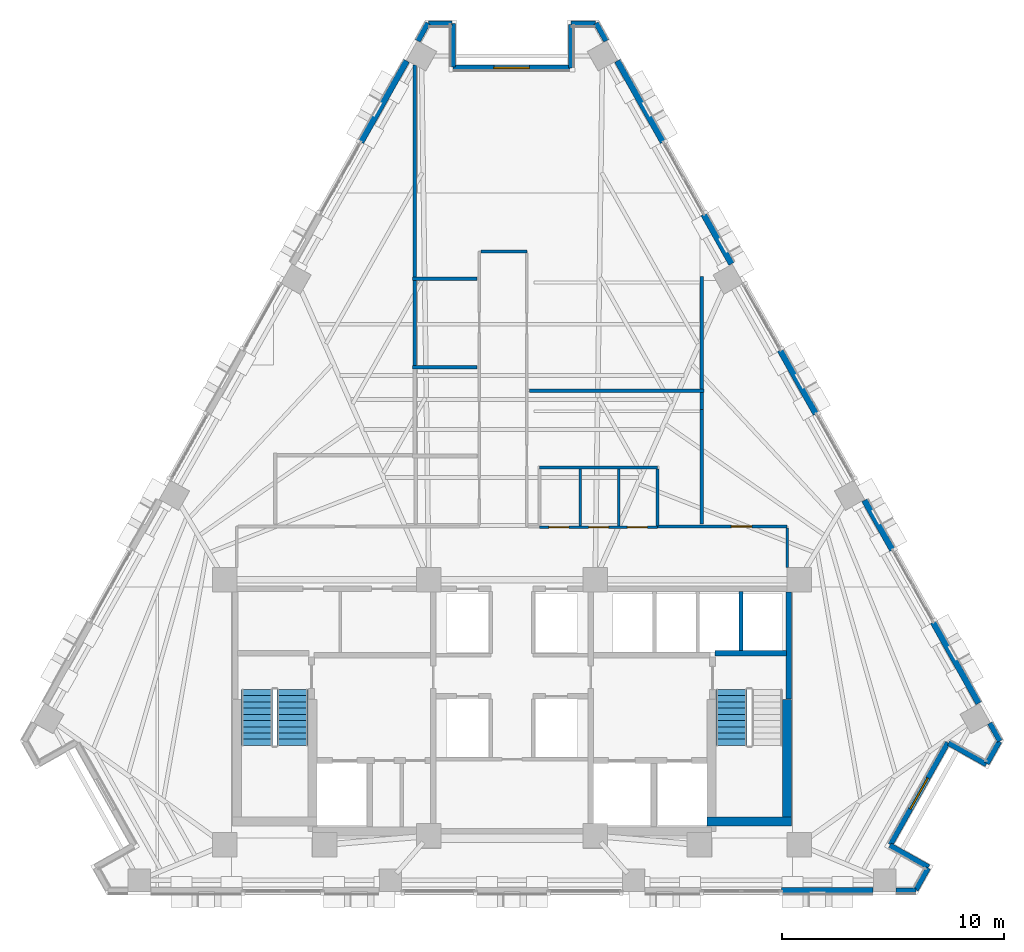
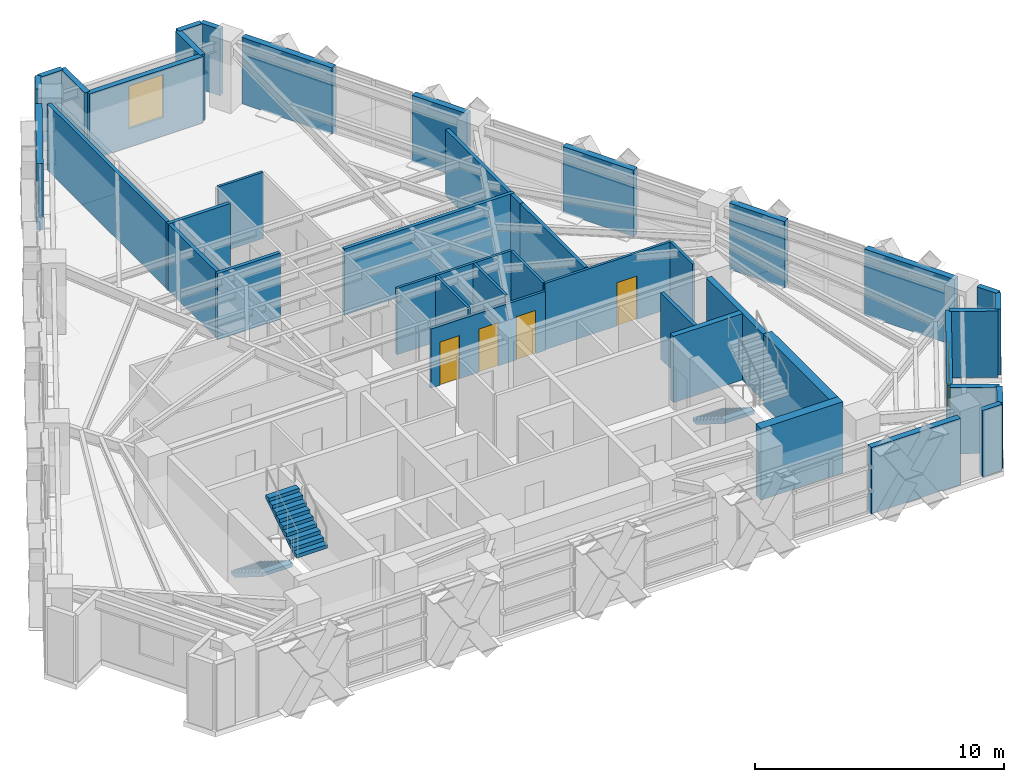
# One storey, part 9 of 14: 42 walls, 4 doors, 3 stair flights, 2 windows, 6 openings, 2 elements without a shape of their own.
"""IFC4 building model written with IfcOpenShell, lengths in metres."""

from ifc_helpers import new_model, si_unit, direction, frame, frame_2d, origin, place, context, subcontext, project, spatial, polyline, rectangle, outline, extrude, material, layer, layer_set, type_object, element, fill, aggregate, save


model = new_model("IFC4")

# Units and contexts
model_context = context("Model", 3, precision=1e-05, world=origin(), true_north=direction((0.0, 1.0)))
body_context = subcontext(model_context, "Body", "Model", "MODEL_VIEW")
ifc_project = project(units=[si_unit("LENGTHUNIT", "METRE"), si_unit("AREAUNIT", "SQUARE_METRE"), si_unit("VOLUMEUNIT", "CUBIC_METRE"), si_unit("PLANEANGLEUNIT", "RADIAN"), si_unit("MASSUNIT", "GRAM", prefix="KILO")], contexts=[model_context])

# Site, building, storey
site_placement = place(None, origin())
site = spatial("IfcSite", under=ifc_project, at=site_placement, CompositionType="ELEMENT")
building_placement = place(site_placement, origin())
building = spatial("IfcBuilding", under=site, at=building_placement, Name="Quenlor Broadcast Tower", CompositionType="ELEMENT")
storey_placement = place(building_placement, frame((0.0, 0.0, 144.0)))
storey = spatial("IfcBuildingStorey", under=building, at=storey_placement, Name="L39", CompositionType="ELEMENT", Elevation=144.0)

# Walls
ifc_material_1 = material(Name="Concrete C50/60", Category="concrete")
ifc_layer_1 = layer(ifc_material_1, 0.39990234375)
ifc_layer_set_1 = layer_set([ifc_layer_1], Name="Core Concrete C50/60 Shear Wall 400")
wall_type_1 = type_object("IfcWallType", Name="Core Concrete C50/60 Shear Wall 400", PredefinedType="SHEAR", material=ifc_layer_set_1)
wall_1_placement = place(storey_placement, frame((8.800048828125, -15.699951171875, 0.0), z_axis=(0.0, 0.0, 1.0), x_axis=(1.0, 0.0, 0.0)))
element("IfcWall", 1, at=wall_1_placement, inside=storey, type_object=wall_type_1, Name="L39 Core Shear Wall WS-E2", PredefinedType="SHEAR", context=body_context, shape_type="SweptSolid", body=[
    extrude(rectangle(XDim=3.800048828125, YDim=0.39990234375, at=frame_2d((1.89990234375, 0.0))), origin(), (0.0, 0.0, 1.0), 3.5),
])
wall_2_placement = place(storey_placement, frame((12.39990234375, -15.699951171875, 0.0), z_axis=(0.0, 0.0, 1.0), x_axis=(0.0, 1.0, 0.0)))
element("IfcWall", 2, at=wall_2_placement, inside=storey, type_object=wall_type_1, Name="L39 Core Shear Wall WF-E", PredefinedType="SHEAR", context=body_context, shape_type="SweptSolid", body=[
    extrude(rectangle(XDim=5.5, YDim=0.39990234375, at=frame_2d((2.75, 0.0))), origin(), (0.0, 0.0, 1.0), 3.5),
])
ifc_material_2 = material(Name="Concrete C40/50", Category="concrete")
ifc_layer_2 = layer(ifc_material_2, 0.25)
ifc_layer_set_2 = layer_set([ifc_layer_2], Name="Fire Rated Concrete C40/50 Core Wall 250")
wall_type_2 = type_object("IfcWallType", Name="Fire Rated Concrete C40/50 Core Wall 250", PredefinedType="PARTITIONING", material=ifc_layer_set_2)
wall_3_placement = place(storey_placement, frame((9.159912109375, -8.1201171875, 0.0), z_axis=(0.0, 0.0, 1.0), x_axis=(1.0, 0.0, 0.0)))
element("IfcWall", 3, at=wall_3_placement, inside=storey, type_object=wall_type_2, Name="L39 Interior Wall CW-ST2-N", PredefinedType="PARTITIONING", context=body_context, shape_type="SweptSolid", body=[
    extrude(rectangle(XDim=3.219970703125, YDim=0.25, at=frame_2d((1.60986328125, 0.0))), origin(), (0.0, 0.0, 1.0), 3.25),
])
wall_4_placement = place(storey_placement, frame((12.47998046875, -10.179931640625, 0.0), z_axis=(0.0, 0.0, 1.0), x_axis=(0.0, 1.0, 0.0)))
element("IfcWall", 4, at=wall_4_placement, inside=storey, type_object=wall_type_2, Name="L39 Interior Wall CW-ST2-E2", PredefinedType="PARTITIONING", context=body_context, shape_type="SweptSolid", body=[
    extrude(rectangle(XDim=4.827880859375, YDim=0.25, at=frame_2d((2.4140625, 0.0))), origin(), (0.0, 0.0, 1.0), 3.25),
])
ifc_material_3 = material(Name="Gypsum Fireboard Partition", Category="other")
ifc_layer_3 = layer(ifc_material_3, 0.159912109375)
ifc_layer_set_3 = layer_set([ifc_layer_3], Name="Fire Rated Shaft and Corridor Partition 160")
wall_type_3 = type_object("IfcWallType", Name="Fire Rated Shaft and Corridor Partition 160", PredefinedType="PARTITIONING", material=ifc_layer_set_3)
wall_5_placement = place(storey_placement, frame((10.324951171875, -7.992919921875, 0.0), z_axis=(0.0, 0.0, 1.0), x_axis=(0.0, 1.0, 0.0)))
element("IfcWall", 5, at=wall_5_placement, inside=storey, type_object=wall_type_3, Name="L39 Interior Wall CW-PLH-D3", PredefinedType="PARTITIONING", context=body_context, shape_type="SweptSolid", body=[
    extrude(rectangle(XDim=2.65283203125, YDim=0.159912109375, at=frame_2d((1.326416015625, 0.0))), origin(), (0.0, 0.0, 1.0), 3.25),
])
wall_6_placement = place(storey_placement, frame((-1.580078125, 8.780029296875, 0.0), z_axis=(0.0, 0.0, 1.0), x_axis=(-1.0, 0.0, 0.0)))
element("IfcWall", 6, at=wall_6_placement, inside=storey, type_object=wall_type_3, Name="L39 Interior Wall PW-DV-01", PredefinedType="PARTITIONING", context=body_context, shape_type="SweptSolid", body=[
    extrude(rectangle(XDim=2.89990234375, YDim=0.159912109375, at=frame_2d((1.449951171875, 0.0))), origin(), (0.0, 0.0, 1.0), 3.25),
])
wall_7_placement = place(storey_placement, frame((8.659912109375, 3.72998046875, 0.0), z_axis=(0.0, 0.0, 1.0), x_axis=(-1.0, 0.0, 0.0)))
element("IfcWall", 7, at=wall_7_placement, inside=storey, type_object=wall_type_3, Name="L39 Interior Wall PW-DV-02", PredefinedType="PARTITIONING", context=body_context, shape_type="SweptSolid", body=[
    extrude(rectangle(XDim=7.8798828125, YDim=0.159912109375, at=frame_2d((3.93994140625, 0.0))), origin(), (0.0, 0.0, 1.0), 3.25),
])
wall_8_placement = place(storey_placement, frame((8.56005859375, 8.866455078125, 0.0), z_axis=(0.0, 0.0, 1.0), x_axis=(0.0, -1.0, 0.0)))
element("IfcWall", 8, at=wall_8_placement, inside=storey, type_object=wall_type_3, Name="L39 Interior Wall PW-DV-03", PredefinedType="PARTITIONING", context=body_context, shape_type="SweptSolid", body=[
    extrude(rectangle(XDim=5.054443359375, YDim=0.159912109375, at=frame_2d((2.52734375, 0.0))), origin(), (0.0, 0.0, 1.0), 3.25),
])
wall_9_placement = place(storey_placement, frame((-4.3798828125, 8.862060546875, 0.0), z_axis=(0.0, 0.0, 1.0), x_axis=(0.0, 1.0, 0.0)))
element("IfcWall", 9, at=wall_9_placement, inside=storey, type_object=wall_type_3, Name="L39 Interior Wall PW-DV-04", PredefinedType="PARTITIONING", context=body_context, shape_type="SweptSolid", body=[
    extrude(rectangle(XDim=9.55322265625, YDim=0.159912109375, at=frame_2d((4.776611328125, 0.0))), origin(), (0.0, 0.0, 1.0), 3.25),
])
wall_10_placement = place(storey_placement, frame((-1.580078125, 4.780029296875, 0.0), z_axis=(0.0, 0.0, 1.0), x_axis=(-1.0, 0.0, 0.0)))
element("IfcWall", 10, at=wall_10_placement, inside=storey, type_object=wall_type_3, Name="L39 Interior Wall PW-DV-05", PredefinedType="PARTITIONING", context=body_context, shape_type="SweptSolid", body=[
    extrude(rectangle(XDim=2.89990234375, YDim=0.159912109375, at=frame_2d((1.449951171875, 0.0))), origin(), (0.0, 0.0, 1.0), 3.25),
])
wall_11_placement = place(storey_placement, frame((-4.3798828125, 4.862060546875, 0.0), z_axis=(0.0, 0.0, 1.0), x_axis=(0.0, 1.0, 0.0)))
element("IfcWall", 11, at=wall_11_placement, inside=storey, type_object=wall_type_3, Name="L39 Interior Wall PW-DV-06", PredefinedType="PARTITIONING", context=body_context, shape_type="SweptSolid", body=[
    extrude(rectangle(XDim=3.8359375, YDim=0.159912109375, at=frame_2d((1.91796875, 0.0))), origin(), (0.0, 0.0, 1.0), 3.25),
])
wall_12_placement = place(storey_placement, frame((8.56005859375, 2.8798828125, 0.0), z_axis=(0.0, 0.0, 1.0), x_axis=(0.0, -1.0, 0.0)))
element("IfcWall", 12, at=wall_12_placement, inside=storey, type_object=wall_type_3, Name="L39 Interior Wall PW-DV-09", PredefinedType="PARTITIONING", context=body_context, shape_type="SweptSolid", body=[
    extrude(rectangle(XDim=5.169921875, YDim=0.159912109375, at=frame_2d((2.5849609375, 0.0))), origin(), (0.0, 0.0, 1.0), 3.25),
])
wall_13_placement = place(storey_placement, frame((8.56005859375, 3.64794921875, 0.0), z_axis=(0.0, 0.0, 1.0), x_axis=(0.0, -1.0, 0.0)))
element("IfcWall", 13, at=wall_13_placement, inside=storey, type_object=wall_type_3, Name="L39 Interior Wall PW-DV-10", PredefinedType="PARTITIONING", context=body_context, shape_type="SweptSolid", body=[
    extrude(rectangle(XDim=0.765869140625, YDim=0.159912109375, at=frame_2d((0.3828125, 0.0))), origin(), (0.0, 0.0, 1.0), 3.25),
])

# Wall, openings, doors
ifc_material_4 = material(Name="Gypsum Plasterboard Partition", Category="other")
ifc_layer_4 = layer(ifc_material_4, 0.1201171875)
ifc_layer_set_4 = layer_set([ifc_layer_4], Name="Standard Office Partition 120")
wall_type_4 = type_object("IfcWallType", Name="Standard Office Partition 120", PredefinedType="PARTITIONING", material=ifc_layer_set_4)
wall_14_placement = place(storey_placement, frame((1.239990234375, -2.43994140625, 0.0), z_axis=(0.0, 0.0, 1.0), x_axis=(1.0, 0.0, 0.0)))
wall_14 = element("IfcWall", 14, at=wall_14_placement, inside=storey, type_object=wall_type_4, Name="L39 Interior Wall PW-WC-S", PredefinedType="PARTITIONING", context=body_context, shape_type="SweptSolid", body=[
    extrude(rectangle(XDim=5.320068359375, YDim=0.1201171875, at=frame_2d((2.66015625, 0.0))), origin(), (0.0, 0.0, 1.0), 2.891357421875),
])
opening_1_placement = place(wall_14_placement, frame((0.419921875, 0.0, 0.0)))
opening_1 = element("IfcOpeningElement", 15, at=opening_1_placement, cuts=wall_14, Name="Opening ID-3", PredefinedType="OPENING", context=body_context, shape_type="SweptSolid", body=[
    extrude(rectangle(XDim=0.89990234375, YDim=2.1201171875, at=frame_2d((0.449951171875, 1.06005859375))), frame((0.0, 0.070068359375, 0.0), z_axis=(0.0, -1.0, 0.0), x_axis=(1.0, 0.0, 0.0)), (0.0, 0.0, 1.0), 0.14013671875),
])
opening_2_placement = place(wall_14_placement, frame((2.219970703125, 0.0, 0.0)))
opening_2 = element("IfcOpeningElement", 16, at=opening_2_placement, cuts=wall_14, Name="Opening ID-3", PredefinedType="OPENING", context=body_context, shape_type="SweptSolid", body=[
    extrude(rectangle(XDim=0.89990234375, YDim=2.1201171875, at=frame_2d((0.449951171875, 1.06005859375))), frame((0.0, 0.070068359375, 0.0), z_axis=(0.0, -1.0, 0.0), x_axis=(1.0, 0.0, 0.0)), (0.0, 0.0, 1.0), 0.14013671875),
])
opening_3_placement = place(wall_14_placement, frame((3.9599609375, 0.0, 0.0)))
opening_3 = element("IfcOpeningElement", 17, at=opening_3_placement, cuts=wall_14, Name="Opening ID-3", PredefinedType="OPENING", context=body_context, shape_type="SweptSolid", body=[
    extrude(rectangle(XDim=0.89990234375, YDim=2.1201171875, at=frame_2d((0.449951171875, 1.06005859375))), frame((0.0, 0.070068359375, 0.0), z_axis=(0.0, -1.0, 0.0), x_axis=(1.0, 0.0, 0.0)), (0.0, 0.0, 1.0), 0.14013671875),
])
ifc_material_5 = material(Name="Moisture Resistant Timber Oak", Category="wood")
door_type_1 = type_object("IfcDoorType", Name="Washroom Privacy Door 900x2120", OperationType="NOTDEFINED", PredefinedType="DOOR", material=ifc_material_5)
door_1_placement = place(opening_1_placement, origin())
door_1 = element("IfcDoor", 18, at=door_1_placement, inside=storey, type_object=door_type_1, Name="L39 Door DR-AWC", OperationType="SINGLE_SWING_LEFT", OverallHeight=2.1201171875, OverallWidth=0.89990234375, PredefinedType="DOOR", context=body_context, shape_type="SweptSolid", body=[
    extrude(rectangle(XDim=0.89990234375, YDim=2.1201171875, at=frame_2d((0.449951171875, 1.06005859375))), frame((0.0, 0.02490234375, 0.0), z_axis=(0.0, -1.0, 0.0), x_axis=(1.0, 0.0, 0.0)), (0.0, 0.0, 1.0), 0.050048828125),
])
fill(opening_1, door_1)
door_2_placement = place(opening_2_placement, origin())
door_2 = element("IfcDoor", 19, at=door_2_placement, inside=storey, type_object=door_type_1, Name="L39 Door DR-MWC", OperationType="SINGLE_SWING_LEFT", OverallHeight=2.1201171875, OverallWidth=0.89990234375, PredefinedType="DOOR", context=body_context, shape_type="SweptSolid", body=[
    extrude(rectangle(XDim=0.89990234375, YDim=2.1201171875, at=frame_2d((0.449951171875, 1.06005859375))), frame((0.0, 0.02490234375, 0.0), z_axis=(0.0, -1.0, 0.0), x_axis=(1.0, 0.0, 0.0)), (0.0, 0.0, 1.0), 0.050048828125),
])
fill(opening_2, door_2)
door_3_placement = place(opening_3_placement, origin())
door_3 = element("IfcDoor", 20, at=door_3_placement, inside=storey, type_object=door_type_1, Name="L39 Door DR-FWC", OperationType="SINGLE_SWING_RIGHT", OverallHeight=2.1201171875, OverallWidth=0.89990234375, PredefinedType="DOOR", context=body_context, shape_type="SweptSolid", body=[
    extrude(rectangle(XDim=0.89990234375, YDim=2.1201171875, at=frame_2d((0.449951171875, 1.06005859375))), frame((0.0, 0.02490234375, 0.0), z_axis=(0.0, -1.0, 0.0), x_axis=(1.0, 0.0, 0.0)), (0.0, 0.0, 1.0), 0.050048828125),
])
fill(opening_3, door_3)

# Walls
wall_15_placement = place(storey_placement, frame((1.239990234375, 0.260009765625, 0.0), z_axis=(0.0, 0.0, 1.0), x_axis=(1.0, 0.0, 0.0)))
element("IfcWall", 21, at=wall_15_placement, inside=storey, type_object=wall_type_4, Name="L39 Interior Wall PW-WC-N", PredefinedType="PARTITIONING", context=body_context, shape_type="SweptSolid", body=[
    extrude(rectangle(XDim=5.320068359375, YDim=0.1201171875, at=frame_2d((2.66015625, 0.0))), origin(), (0.0, 0.0, 1.0), 3.25),
])
for number, where, z_axis, x_axis, name in (
    (22, (3.080078125, -2.3779296875, 0.0), (0.0, 0.0, 1.0), (0.0, 1.0, 0.0), "L39 Interior Wall PW-WC-M1"),
    (23, (4.820068359375, -2.3779296875, 0.0), (0.0, 0.0, 1.0), (0.0, 1.0, 0.0), "L39 Interior Wall PW-WC-M2"),
    (24, (6.56005859375, -2.3779296875, 0.0), (0.0, 0.0, 1.0), (0.0, 1.0, 0.0), "L39 Interior Wall PW-WC-E"),
):
    element("IfcWall", number, at=place(storey_placement, frame(where, z_axis=z_axis, x_axis=x_axis)), inside=storey, type_object=wall_type_4, Name=name, PredefinedType="PARTITIONING", context=body_context, shape_type="SweptSolid", body=[
        extrude(rectangle(XDim=2.575927734375, YDim=0.1201171875, at=frame_2d((1.2880859375, 0.0))), origin(), (0.0, 0.0, 1.0), 3.25),
    ])
wall_16_placement = place(storey_placement, frame((-1.407958984375, 10.0, 0.0), z_axis=(0.0, 0.0, 1.0), x_axis=(1.0, 0.0, 0.0)))
element("IfcWall", 25, at=wall_16_placement, inside=storey, type_object=wall_type_4, Name="L39 Interior Wall PW-CR-04", PredefinedType="PARTITIONING", context=body_context, shape_type="SweptSolid", body=[
    extrude(rectangle(XDim=2.077880859375, YDim=0.1201171875, at=frame_2d((1.0390625, 0.0))), origin(), (0.0, 0.0, 1.0), 3.25),
])

# Wall, opening, door
wall_17_placement = place(storey_placement, frame((6.56201171875, -2.39990234375, 0.0), z_axis=(0.0, 0.0, 1.0), x_axis=(1.0, 0.0, 0.0)))
wall_17 = element("IfcWall", 26, at=wall_17_placement, inside=storey, type_object=wall_type_4, Name="L39 Interior Wall PW-CR-06S2", PredefinedType="PARTITIONING", context=body_context, shape_type="SweptSolid", body=[
    extrude(rectangle(XDim=5.847900390625, YDim=0.1201171875, at=frame_2d((2.923828125, 0.0))), origin(), (0.0, 0.0, 1.0), 3.25),
])
opening_4_placement = place(wall_17_placement, frame((3.333984375, 0.0, 0.0)))
opening_4 = element("IfcOpeningElement", 27, at=opening_4_placement, cuts=wall_17, Name="Opening ID-1", PredefinedType="OPENING", context=body_context, shape_type="SweptSolid", body=[
    extrude(rectangle(XDim=0.919921875, YDim=2.1201171875, at=frame_2d((0.4599609375, 1.06005859375))), frame((0.0, 0.070068359375, 0.0), z_axis=(0.0, -1.0, 0.0), x_axis=(1.0, 0.0, 0.0)), (0.0, 0.0, 1.0), 0.14013671875),
])
ifc_material_6 = material(Name="Solid Core Timber Oak", Category="wood")
door_type_2 = type_object("IfcDoorType", Name="Single Leaf Timber Office Door 920x2120", OperationType="NOTDEFINED", PredefinedType="DOOR", material=ifc_material_6)
door_4_placement = place(opening_4_placement, origin())
door_4 = element("IfcDoor", 28, at=door_4_placement, inside=storey, type_object=door_type_2, Name="L39 Door DR-RM07", OperationType="SINGLE_SWING_RIGHT", OverallHeight=2.1201171875, OverallWidth=0.919921875, PredefinedType="DOOR", context=body_context, shape_type="SweptSolid", body=[
    extrude(rectangle(XDim=0.919921875, YDim=2.1201171875, at=frame_2d((0.4599609375, 1.06005859375))), frame((0.0, 0.02490234375, 0.0), z_axis=(0.0, -1.0, 0.0), x_axis=(1.0, 0.0, 0.0)), (0.0, 0.0, 1.0), 0.050048828125),
])
fill(opening_4, door_4)

# Walls
wall_18_placement = place(storey_placement, frame((12.409912109375, -2.4619140625, 0.0), z_axis=(0.0, 0.0, 1.0), x_axis=(0.0, -1.0, 0.0)))
element("IfcWall", 29, at=wall_18_placement, inside=storey, type_object=wall_type_4, Name="L39 Interior Wall PW-CR-07", PredefinedType="PARTITIONING", context=body_context, shape_type="SweptSolid", body=[
    extrude(rectangle(XDim=1.7861328125, YDim=0.1201171875, at=frame_2d((0.89306640625, 0.0))), origin(), (0.0, 0.0, 1.0), 3.25),
])
ifc_material_7 = material(Name="Precast concrete C40/50", Category="concrete")
ifc_layer_5 = layer(ifc_material_7, 0.239990234375)
ifc_layer_set_5 = layer_set([ifc_layer_5], Name="Terrace Threshold Precast Concrete C40/50 Wall 240")
wall_type_5 = type_object("IfcWallType", Name="Terrace Threshold Precast Concrete C40/50 Wall 240", PredefinedType="STANDARD", material=ifc_layer_set_5)
wall_19_placement = place(storey_placement, frame((18.2099609375, -18.824951171875, 0.0), z_axis=(0.0, 0.0, 1.0), x_axis=(-1.0, 0.0, 0.0)))
element("IfcWall", 30, at=wall_19_placement, inside=storey, type_object=wall_type_5, Name="L39 Exterior Wall L39-SHD-SS0", PredefinedType="STANDARD", context=body_context, shape_type="SweptSolid", body=[
    extrude(rectangle(XDim=0.896484375, YDim=0.239990234375, at=frame_2d((0.4482421875, 0.0))), origin(), (0.0, 0.0, 1.0), 3.25),
])
wall_20_placement = place(storey_placement, frame((3.7919921875, 20.302001953125, 0.0), z_axis=(0.0, 0.0, 1.0), x_axis=(0.490048346303, -0.871695255399, 0.0)))
element("IfcWall", 31, at=wall_20_placement, inside=storey, type_object=wall_type_5, Name="L39 Exterior Wall L39-SHD-NES0", PredefinedType="STANDARD", context=body_context, shape_type="SweptSolid", body=[
    extrude(rectangle(XDim=0.925537109375, YDim=0.239990234375, at=frame_2d((0.462890625, 0.0))), origin(), (0.0, 0.0, 1.0), 3.25),
])
wall_21_placement = place(storey_placement, frame((21.54931640625, -11.2666015625, 0.0), z_axis=(0.0, 0.0, 1.0), x_axis=(0.490248718924, -0.871582579905, 0.0)))
element("IfcWall", 32, at=wall_21_placement, inside=storey, type_object=wall_type_5, Name="L39 Exterior Wall L39-SHD-NES1", PredefinedType="STANDARD", context=body_context, shape_type="SweptSolid", body=[
    extrude(rectangle(XDim=0.92578125, YDim=0.239990234375, at=frame_2d((0.462890625, 0.0))), origin(), (0.0, 0.0, 1.0), 3.25),
])
wall_22_placement = place(storey_placement, frame((-4.24560546875, 19.4951171875, 0.0), z_axis=(0.0, 0.0, 1.0), x_axis=(0.490048346303, 0.871695255399, 0.0)))
element("IfcWall", 33, at=wall_22_placement, inside=storey, type_object=wall_type_5, Name="L39 Exterior Wall L39-SHD-NWS1", PredefinedType="STANDARD", context=body_context, shape_type="SweptSolid", body=[
    extrude(rectangle(XDim=0.925537109375, YDim=0.239990234375, at=frame_2d((0.462890625, 0.0))), origin(), (0.0, 0.0, 1.0), 3.25),
])
wall_23_placement = place(storey_placement, frame((18.783935546875, -17.760009765625, 0.0), z_axis=(0.0, 0.0, 1.0), x_axis=(-0.871536415941, 0.49033078191, 0.0)))
element("IfcWall", 34, at=wall_23_placement, inside=storey, type_object=wall_type_5, Name="L39 Exterior Wall L39-CNR-01", PredefinedType="STANDARD", context=body_context, shape_type="SweptSolid", body=[
    extrude(rectangle(XDim=2.0, YDim=0.239990234375, at=frame_2d((1.0, 0.0))), origin(), (0.0, 0.0, 1.0), 3.25),
])

# Wall, opening, window
wall_24_placement = place(storey_placement, frame((17.060302734375, -16.744384765625, 0.0), z_axis=(0.0, 0.0, 1.0), x_axis=(0.490276606961, 0.871566892824, 0.0)))
wall_24 = element("IfcWall", 35, at=wall_24_placement, inside=storey, type_object=wall_type_5, Name="L39 Exterior Wall L39-CNR-02", PredefinedType="STANDARD", context=body_context, shape_type="SweptSolid", body=[
    extrude(rectangle(XDim=5.280029296875, YDim=0.239990234375, at=frame_2d((2.64013671875, 0.0))), origin(), (0.0, 0.0, 1.0), 3.25),
])
opening_5_placement = place(wall_24_placement, frame((1.840087890625, 0.0, 0.89990234375)))
opening_5 = element("IfcOpeningElement", 36, at=opening_5_placement, cuts=wall_24, Name="Opening WN-2", PredefinedType="OPENING", context=body_context, shape_type="SweptSolid", body=[
    extrude(rectangle(XDim=1.60009765625, YDim=2.10009765625, at=frame_2d((0.800048828125, 1.050048828125))), frame((0.0, 0.1298828125, 0.0), z_axis=(0.0, -1.0, 0.0), x_axis=(1.0, 0.0, 0.0)), (0.0, 0.0, 1.0), 0.260009765625),
])
ifc_material_8 = material(Name="Thermally Broken Aluminium and Low-E Glass", Category="aluminium")
window_type = type_object("IfcWindowType", Name="Tower Studio Punched Window 1600x2100", PartitioningType="SINGLE_PANEL", PredefinedType="WINDOW", material=ifc_material_8)
window_1_placement = place(opening_5_placement, origin())
window_1 = element("IfcWindow", 37, at=window_1_placement, inside=storey, type_object=window_type, Name="L39 Corner Chamfer Window 2", OverallHeight=2.10009765625, OverallWidth=1.60009765625, PartitioningType="SINGLE_PANEL", PredefinedType="WINDOW", context=body_context, shape_type="SweptSolid", body=[
    extrude(rectangle(XDim=1.60009765625, YDim=2.10009765625, at=frame_2d((0.800048828125, 1.050048828125))), frame((0.0, 0.030029296875, 0.0), z_axis=(0.0, -1.0, 0.0), x_axis=(1.0, 0.0, 0.0)), (0.0, 0.0, 1.0), 0.06005859375),
])
fill(opening_5, window_1)

# Walls
wall_25_placement = place(storey_placement, frame((19.683837890625, -12.162109375, 0.0), z_axis=(0.0, 0.0, 1.0), x_axis=(0.871512328312, -0.490373593906, 0.0)))
element("IfcWall", 38, at=wall_25_placement, inside=storey, type_object=wall_type_5, Name="L39 Exterior Wall L39-CNR-03", PredefinedType="STANDARD", context=body_context, shape_type="SweptSolid", body=[
    extrude(rectangle(XDim=1.960205078125, YDim=0.239990234375, at=frame_2d((0.97998046875, 0.0))), origin(), (0.0, 0.0, 1.0), 3.25),
])
wall_26_placement = place(storey_placement, frame((21.411865234375, -13.08837890625, 0.0), z_axis=(0.0, 0.0, 1.0), x_axis=(0.4900989379, 0.871666811958, 0.0)))
element("IfcWall", 39, at=wall_26_placement, inside=storey, type_object=wall_type_5, Name="L39 Exterior Wall L39-CNR-04", PredefinedType="STANDARD", context=body_context, shape_type="SweptSolid", body=[
    extrude(rectangle(XDim=1.142822265625, YDim=0.239990234375, at=frame_2d((0.5712890625, 0.0))), origin(), (0.0, 0.0, 1.0), 3.25),
])
wall_27_placement = place(storey_placement, frame((3.761474609375, 20.280029296875, 0.0), z_axis=(0.0, 0.0, 1.0), x_axis=(-1.0, 0.0, 0.0)))
element("IfcWall", 40, at=wall_27_placement, inside=storey, type_object=wall_type_5, Name="L39 Exterior Wall L39-CNR-06", PredefinedType="STANDARD", context=body_context, shape_type="SweptSolid", body=[
    extrude(rectangle(XDim=1.1015625, YDim=0.239990234375, at=frame_2d((0.55078125, 0.0))), origin(), (0.0, 0.0, 1.0), 3.25),
])
wall_28_placement = place(storey_placement, frame((2.659912109375, 20.239990234375, 0.0), z_axis=(0.0, 0.0, 1.0), x_axis=(0.0, -1.0, 0.0)))
element("IfcWall", 41, at=wall_28_placement, inside=storey, type_object=wall_type_5, Name="L39 Exterior Wall L39-CNR-07", PredefinedType="STANDARD", context=body_context, shape_type="SweptSolid", body=[
    extrude(rectangle(XDim=1.9599609375, YDim=0.239990234375, at=frame_2d((0.97998046875, 0.0))), origin(), (0.0, 0.0, 1.0), 3.25),
])

# Wall, opening, window
wall_29_placement = place(storey_placement, frame((2.6201171875, 18.280029296875, 0.0), z_axis=(0.0, 0.0, 1.0), x_axis=(-1.0, 0.0, 0.0)))
wall_29 = element("IfcWall", 42, at=wall_29_placement, inside=storey, type_object=wall_type_5, Name="L39 Exterior Wall L39-CNR-08", PredefinedType="STANDARD", context=body_context, shape_type="SweptSolid", body=[
    extrude(rectangle(XDim=5.280029296875, YDim=0.239990234375, at=frame_2d((2.64013671875, 0.0))), origin(), (0.0, 0.0, 1.0), 3.25),
])
opening_6_placement = place(wall_29_placement, frame((1.840087890625, 0.0, 0.89990234375)))
opening_6 = element("IfcOpeningElement", 43, at=opening_6_placement, cuts=wall_29, Name="Opening WN-2", PredefinedType="OPENING", context=body_context, shape_type="SweptSolid", body=[
    extrude(rectangle(XDim=1.60009765625, YDim=2.10009765625, at=frame_2d((0.800048828125, 1.050048828125))), frame((0.0, 0.1298828125, 0.0), z_axis=(0.0, -1.0, 0.0), x_axis=(1.0, 0.0, 0.0)), (0.0, 0.0, 1.0), 0.260009765625),
])
window_2_placement = place(opening_6_placement, origin())
window_2 = element("IfcWindow", 44, at=window_2_placement, inside=storey, type_object=window_type, Name="L39 Corner Chamfer Window 8", OverallHeight=2.10009765625, OverallWidth=1.60009765625, PartitioningType="SINGLE_PANEL", PredefinedType="WINDOW", context=body_context, shape_type="SweptSolid", body=[
    extrude(rectangle(XDim=1.60009765625, YDim=2.10009765625, at=frame_2d((0.800048828125, 1.050048828125))), frame((0.0, 0.030029296875, 0.0), z_axis=(0.0, -1.0, 0.0), x_axis=(1.0, 0.0, 0.0)), (0.0, 0.0, 1.0), 0.06005859375),
])
fill(opening_6, window_2)

# Walls
wall_30_placement = place(storey_placement, frame((-2.659912109375, 18.320068359375, 0.0), z_axis=(0.0, 0.0, 1.0), x_axis=(0.0, 1.0, 0.0)))
element("IfcWall", 45, at=wall_30_placement, inside=storey, type_object=wall_type_5, Name="L39 Exterior Wall L39-CNR-09", PredefinedType="STANDARD", context=body_context, shape_type="SweptSolid", body=[
    extrude(rectangle(XDim=1.9599609375, YDim=0.239990234375, at=frame_2d((0.97998046875, 0.0))), origin(), (0.0, 0.0, 1.0), 3.25),
])
wall_31_placement = place(storey_placement, frame((-2.699951171875, 20.280029296875, 0.0), z_axis=(0.0, 0.0, 1.0), x_axis=(-1.0, 0.0, 0.0)))
element("IfcWall", 46, at=wall_31_placement, inside=storey, type_object=wall_type_5, Name="L39 Exterior Wall L39-CNR-10", PredefinedType="STANDARD", context=body_context, shape_type="SweptSolid", body=[
    extrude(rectangle(XDim=1.0615234375, YDim=0.239990234375, at=frame_2d((0.53076171875, 0.0))), origin(), (0.0, 0.0, 1.0), 3.25),
])
wall_32_placement = place(storey_placement, frame((18.205810546875, -18.78759765625, 0.0), z_axis=(0.0, 0.0, 1.0), x_axis=(0.490403700594, 0.871495387506, 0.0)))
element("IfcWall", 47, at=wall_32_placement, inside=storey, type_object=wall_type_5, Name="L39 Exterior Wall L39-CNR-18", PredefinedType="STANDARD", context=body_context, shape_type="SweptSolid", body=[
    extrude(rectangle(XDim=1.13916015625, YDim=0.239990234375, at=frame_2d((0.569580078125, 0.0))), origin(), (0.0, 0.0, 1.0), 3.25),
])
ifc_material_9 = material(Name="Precast concrete C40/50", Category="concrete")
ifc_layer_6 = layer(ifc_material_9, 0.280029296875)
ifc_layer_set_6 = layer_set([ifc_layer_6], Name="Terracotta Precast Concrete C40/50 Facade Wall 280")
wall_type_6 = type_object("IfcWallType", Name="Terracotta Precast Concrete C40/50 Facade Wall 280", PredefinedType="STANDARD", material=ifc_layer_set_6)
wall_33_placement = place(storey_placement, frame((16.283447265625, -18.824951171875, 0.0), z_axis=(0.0, 0.0, 1.0), x_axis=(-1.0, 0.0, 0.0)))
element("IfcWall", 48, at=wall_33_placement, inside=storey, type_object=wall_type_6, Name="L39 Exterior Wall L39-SA-SP1", PredefinedType="STANDARD", context=body_context, shape_type="SweptSolid", body=[
    extrude(rectangle(XDim=4.134521484375, YDim=0.280029296875, at=frame_2d((2.0673828125, 0.0))), origin(), (0.0, 0.0, 1.0), 3.25),
])
wall_34_placement = place(storey_placement, frame((4.750732421875, 18.597412109375, 0.0), z_axis=(0.0, 0.0, 1.0), x_axis=(0.490250201787, -0.871581745821, 0.0)))
element("IfcWall", 49, at=wall_34_placement, inside=storey, type_object=wall_type_6, Name="L39 Exterior Wall L39-NEA-SP1", PredefinedType="STANDARD", context=body_context, shape_type="SweptSolid", body=[
    extrude(rectangle(XDim=4.20068359375, YDim=0.280029296875, at=frame_2d((2.100341796875, 0.0))), origin(), (0.0, 0.0, 1.0), 3.25),
])
for number, where, z_axis, x_axis, name in (
    (50, (8.640625, 11.681884765625, 0.0), (0.0, 0.0, 1.0), (0.490301864627, -0.871552684319, 0.0), "L39 Exterior Wall L39-NEA-SP2"),
    (51, (15.8955078125, -1.21533203125, 0.0), (0.0, 0.0, 1.0), (0.490229640206, -0.871593311048, 0.0), "L39 Exterior Wall L39-NEC-SP1"),
):
    element("IfcWall", number, at=place(storey_placement, frame(where, z_axis=z_axis, x_axis=x_axis)), inside=storey, type_object=wall_type_6, Name=name, PredefinedType="STANDARD", context=body_context, shape_type="SweptSolid", body=[
        extrude(rectangle(XDim=2.56787109375, YDim=0.280029296875, at=frame_2d((1.283935546875, 0.0))), origin(), (0.0, 0.0, 1.0), 3.25),
    ])
wall_35_placement = place(storey_placement, frame((18.985107421875, -6.7080078125, 0.0), z_axis=(0.0, 0.0, 1.0), x_axis=(0.490230882965, -0.871592612054, 0.0)))
element("IfcWall", 52, at=wall_35_placement, inside=storey, type_object=wall_type_6, Name="L39 Exterior Wall L39-NEC-SP2", PredefinedType="STANDARD", context=body_context, shape_type="SweptSolid", body=[
    extrude(rectangle(XDim=4.2001953125, YDim=0.280029296875, at=frame_2d((2.10009765625, 0.0))), origin(), (0.0, 0.0, 1.0), 3.25),
])
wall_36_placement = place(storey_placement, frame((12.0888671875, 5.5517578125, 0.0), z_axis=(0.0, 0.0, 1.0), x_axis=(0.490285834707, -0.871561701938, 0.0)))
element("IfcWall", 53, at=wall_36_placement, inside=storey, type_object=wall_type_6, Name="L39 Exterior Wall L39-NE-SP1", PredefinedType="STANDARD", context=body_context, shape_type="SweptSolid", body=[
    extrude(rectangle(XDim=3.299072265625, YDim=0.280029296875, at=frame_2d((1.6494140625, 0.0))), origin(), (0.0, 0.0, 1.0), 3.25),
])
wall_37_placement = place(storey_placement, frame((-6.81005859375, 14.936279296875, 0.0), z_axis=(0.0, 0.0, 1.0), x_axis=(0.490250201787, 0.871581745821, 0.0)))
element("IfcWall", 54, at=wall_37_placement, inside=storey, type_object=wall_type_6, Name="L39 Exterior Wall L39-NWC-SP2", PredefinedType="STANDARD", context=body_context, shape_type="SweptSolid", body=[
    extrude(rectangle(XDim=4.20068359375, YDim=0.280029296875, at=frame_2d((2.100341796875, 0.0))), origin(), (0.0, 0.0, 1.0), 3.25),
])

# Stair, stair flights
ifc_material_10 = material(Name="Precast concrete C40/50", Category="concrete")
stair_type = type_object("IfcStairType", Name="Precast Concrete C40/50 Dogleg Stair H350", PredefinedType="HALF_TURN_STAIR", material=ifc_material_10)
stair_1_placement = place(storey_placement, origin())
stair_1 = element("IfcStair", 55, at=stair_1_placement, inside=storey, type_object=stair_type, Name="L39 West Core Fire-Isolated Exit Stair ST-1", PredefinedType="HALF_TURN_STAIR")
ifc_material_11 = material(Name="Precast concrete C40/50", Category="concrete")
ifc_layer_7 = layer(ifc_material_11, 0.159912109375)
ifc_layer_set_7 = layer_set([ifc_layer_7], Name="Precast Concrete C40/50 Stair Flight H350")
stair_flight_type = type_object("IfcStairFlightType", Name="Precast Concrete C40/50 Stair Flight H350", PredefinedType="STRAIGHT", material=ifc_layer_set_7)
stair_flight_1_placement = place(storey_placement, frame((-11.5, -9.75, 0.0), z_axis=(0.0, 0.0, 1.0), x_axis=(0.0, -1.0, 0.0)))
stair_flight_1 = element("IfcStairFlight", 56, at=stair_flight_1_placement, type_object=stair_flight_type, Name="ST-1 flight 1", NumberOfRisers=10, NumberOfTreads=9, PredefinedType="STRAIGHT", RiserHeight=0.175, TreadLength=0.28, context=body_context, shape_type="SweptSolid", body=[
    extrude(outline(polyline([(0.0, 0.0), (0.0, 0.175048828125), (0.280029296875, 0.175048828125), (0.280029296875, 0.35009765625), (0.56005859375, 0.35009765625), (0.56005859375, 0.52490234375), (0.840087890625, 0.52490234375), (0.840087890625, 0.699951171875), (1.1201171875, 0.699951171875), (1.1201171875, 0.875), (1.39990234375, 0.875), (1.39990234375, 1.050048828125), (1.679931640625, 1.050048828125), (1.679931640625, 1.22509765625), (1.9599609375, 1.22509765625), (1.9599609375, 1.39990234375), (2.239990234375, 1.39990234375), (2.239990234375, 1.574951171875), (2.52001953125, 1.574951171875), (2.52001953125, 1.75), (2.52001953125, 1.398193359375), (0.28271484375, 0.0), (0.0, 0.0)])), frame((0.0, 0.699951171875, 0.0), z_axis=(0.0, -1.0, 0.0), x_axis=(1.0, 0.0, 0.0)), (0.0, 0.0, 1.0), 1.39990234375),
])
stair_flight_2_placement = place(storey_placement, frame((-9.89990234375, -12.27001953125, 1.75), z_axis=(0.0, 0.0, 1.0), x_axis=(0.0, 1.0, 0.0)))
stair_flight_2 = element("IfcStairFlight", 57, at=stair_flight_2_placement, type_object=stair_flight_type, Name="ST-1 flight 2", NumberOfRisers=10, NumberOfTreads=9, PredefinedType="STRAIGHT", RiserHeight=0.175, TreadLength=0.28, context=body_context, shape_type="SweptSolid", body=[
    extrude(outline(polyline([(0.0, 0.0), (0.0, 0.175048828125), (0.280029296875, 0.175048828125), (0.280029296875, 0.35009765625), (0.56005859375, 0.35009765625), (0.56005859375, 0.52490234375), (0.840087890625, 0.52490234375), (0.840087890625, 0.699951171875), (1.1201171875, 0.699951171875), (1.1201171875, 0.875), (1.39990234375, 0.875), (1.39990234375, 1.050048828125), (1.679931640625, 1.050048828125), (1.679931640625, 1.22509765625), (1.9599609375, 1.22509765625), (1.9599609375, 1.39990234375), (2.239990234375, 1.39990234375), (2.239990234375, 1.574951171875), (2.52001953125, 1.574951171875), (2.52001953125, 1.75), (2.52001953125, 1.398193359375), (0.28271484375, 0.0), (0.0, 0.0)])), frame((0.0, 0.699951171875, 0.0), z_axis=(0.0, -1.0, 0.0), x_axis=(1.0, 0.0, 0.0)), (0.0, 0.0, 1.0), 1.39990234375),
])
aggregate(stair_1, [stair_flight_1, stair_flight_2])

# Stair, stair flight
stair_2_placement = place(storey_placement, origin())
stair_2 = element("IfcStair", 58, at=stair_2_placement, inside=storey, type_object=stair_type, Name="L39 East Core Fire-Isolated Exit Stair ST-2", PredefinedType="HALF_TURN_STAIR")
stair_flight_3_placement = place(storey_placement, frame((9.89990234375, -9.75, 0.0), z_axis=(0.0, 0.0, 1.0), x_axis=(0.0, -1.0, 0.0)))
stair_flight_3 = element("IfcStairFlight", 59, at=stair_flight_3_placement, type_object=stair_flight_type, Name="ST-2 flight 1", NumberOfRisers=10, NumberOfTreads=9, PredefinedType="STRAIGHT", RiserHeight=0.175, TreadLength=0.28, context=body_context, shape_type="SweptSolid", body=[
    extrude(outline(polyline([(0.0, 0.0), (0.0, 0.175048828125), (0.280029296875, 0.175048828125), (0.280029296875, 0.35009765625), (0.56005859375, 0.35009765625), (0.56005859375, 0.52490234375), (0.840087890625, 0.52490234375), (0.840087890625, 0.699951171875), (1.1201171875, 0.699951171875), (1.1201171875, 0.875), (1.39990234375, 0.875), (1.39990234375, 1.050048828125), (1.679931640625, 1.050048828125), (1.679931640625, 1.22509765625), (1.9599609375, 1.22509765625), (1.9599609375, 1.39990234375), (2.239990234375, 1.39990234375), (2.239990234375, 1.574951171875), (2.52001953125, 1.574951171875), (2.52001953125, 1.75), (2.52001953125, 1.398193359375), (0.28271484375, 0.0), (0.0, 0.0)])), frame((0.0, 0.699951171875, 0.0), z_axis=(0.0, -1.0, 0.0), x_axis=(1.0, 0.0, 0.0)), (0.0, 0.0, 1.0), 1.39990234375),
])
aggregate(stair_2, [stair_flight_3])

save(model, "model.ifc")
